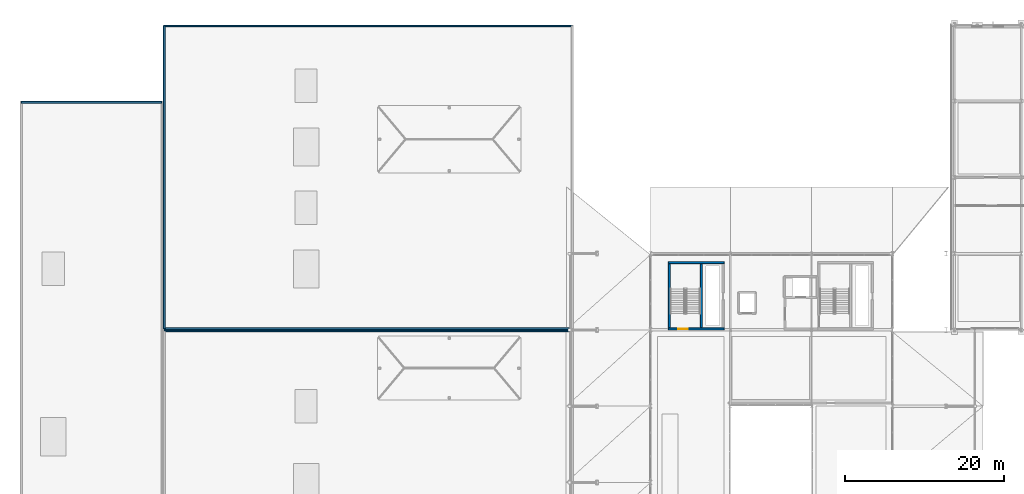
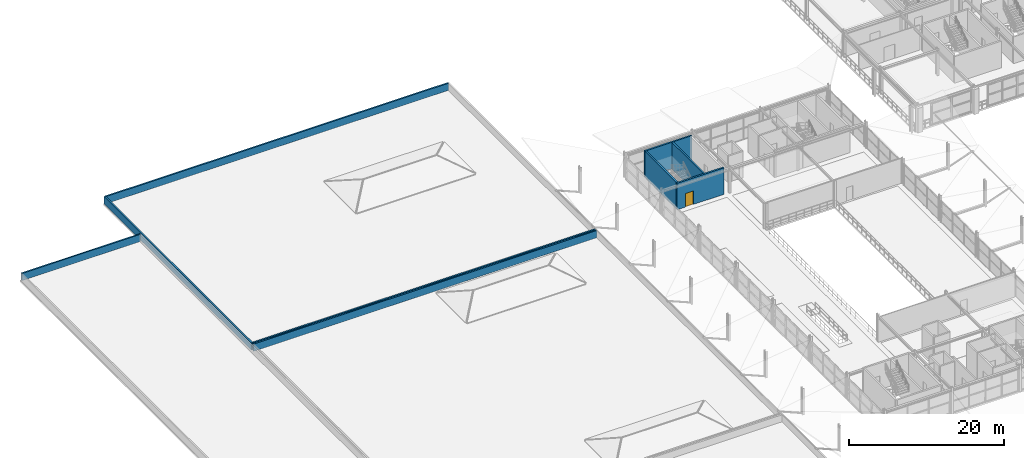
# One storey, part 47 of 81: 9 walls, 1 door, 1 opening.
"""IFC4 building model written with IfcOpenShell, lengths in metres."""

from ifc_helpers import new_model, si_unit, direction, frame, frame_2d, origin, place, context, subcontext, project, spatial, rectangle, extrude, material, layer, layer_set, type_object, element, fill, save


model = new_model("IFC4")

# Units and contexts
model_context = context("Model", 3, precision=1e-05, world=origin(), true_north=direction((0.0, 1.0)))
body_context = subcontext(model_context, "Body", "Model", "MODEL_VIEW")
ifc_project = project(units=[si_unit("LENGTHUNIT", "METRE"), si_unit("AREAUNIT", "SQUARE_METRE"), si_unit("VOLUMEUNIT", "CUBIC_METRE"), si_unit("PLANEANGLEUNIT", "RADIAN"), si_unit("MASSUNIT", "GRAM", prefix="KILO")], contexts=[model_context])

# Site, building, storey
site_placement = place(None, origin())
site = spatial("IfcSite", under=ifc_project, at=site_placement, CompositionType="ELEMENT")
building_placement = place(site_placement, origin())
building = spatial("IfcBuilding", under=site, at=building_placement, Name="Myrtia Square Station", CompositionType="ELEMENT")
storey_placement = place(building_placement, frame((0.0, 0.0, 10.800048828125)))
storey = spatial("IfcBuildingStorey", under=building, at=storey_placement, Name="L02", CompositionType="ELEMENT", Elevation=10.800048828125)

# Wall, opening, door
ifc_material_1 = material(Name="Concrete C35/45", Category="concrete")
ifc_layer_1 = layer(ifc_material_1, 0.25, Name="Concrete C35/45")
ifc_layer_set_1 = layer_set([ifc_layer_1], Name="Concrete C35/45")
wall_type_1 = type_object("IfcWallType", Name="WL-CORE-250", PredefinedType="SHEAR", material=ifc_layer_set_1)
wall_1_placement = place(storey_placement, frame((81.60009765625, 86.52490234375, 0.0), z_axis=(0.0, 0.0, 1.0), x_axis=(1.0, 0.0, 0.0)))
wall_1 = element("IfcWall", 1, at=wall_1_placement, inside=storey, type_object=wall_type_1, Name="Core K2 shear wall L02 S", PredefinedType="SHEAR", context=body_context, shape_type="SweptSolid", body=[
    extrude(rectangle(XDim=7.0, YDim=0.25, at=frame_2d((3.5, 0.0))), origin(), (0.0, 0.0, 1.0), 4.199951171875),
])
opening_placement = place(wall_1_placement, frame((1.25, 0.0, 0.0)))
opening = element("IfcOpeningElement", 2, at=opening_placement, cuts=wall_1, Name="Opening SD-017", PredefinedType="OPENING", context=body_context, shape_type="SweptSolid", body=[
    extrude(rectangle(XDim=1.199951171875, YDim=2.14990234375, at=frame_2d((0.60009765625, 1.074951171875))), frame((0.0, 0.139892578125, 0.0), z_axis=(0.0, -1.0, 0.0), x_axis=(1.0, 0.0, 0.0)), (0.0, 0.0, 1.0), 0.280029296875),
])
ifc_material_2 = material(Name="Dark bronze anodised aluminium", Category="aluminium")
door_type = type_object("IfcDoorType", Name="DR-STAIR-1200x2150", OperationType="NOTDEFINED", PredefinedType="DOOR", material=ifc_material_2)
door_placement = place(opening_placement, origin())
door = element("IfcDoor", 3, at=door_placement, inside=storey, type_object=door_type, Name="Protected stair fire door K2 L02", OperationType="SINGLE_SWING_LEFT", OverallHeight=2.14990234375, OverallWidth=1.199951171875, PredefinedType="DOOR", context=body_context, shape_type="SweptSolid", body=[
    extrude(rectangle(XDim=1.199951171875, YDim=2.14990234375, at=frame_2d((0.60009765625, 1.074951171875))), frame((0.0, 0.02490234375, 0.0), z_axis=(0.0, -1.0, 0.0), x_axis=(1.0, 0.0, 0.0)), (0.0, 0.0, 1.0), 0.050048828125),
])
fill(opening, door)

# Walls
wall_2_placement = place(storey_placement, frame((81.60009765625, 94.875, 0.0), z_axis=(0.0, 0.0, 1.0), x_axis=(1.0, 0.0, 0.0)))
element("IfcWall", 4, at=wall_2_placement, inside=storey, type_object=wall_type_1, Name="Core K2 shear wall L02 N", PredefinedType="SHEAR", context=body_context, shape_type="SweptSolid", body=[
    extrude(rectangle(XDim=7.0, YDim=0.25, at=frame_2d((3.5, 0.0))), origin(), (0.0, 0.0, 1.0), 4.199951171875),
])
wall_3_placement = place(storey_placement, frame((81.72509765625, 86.39990234375, 0.0), z_axis=(0.0, 0.0, 1.0), x_axis=(0.0, 1.0, 0.0)))
element("IfcWall", 5, at=wall_3_placement, inside=storey, type_object=wall_type_1, Name="Core K2 shear wall L02 W", PredefinedType="SHEAR", context=body_context, shape_type="SweptSolid", body=[
    extrude(rectangle(XDim=8.60009765625, YDim=0.25, at=frame_2d((4.300048828125, 0.0))), origin(), (0.0, 0.0, 1.0), 4.199951171875),
])
wall_4_placement = place(storey_placement, frame((85.739990234375, 86.60009765625, 0.0), z_axis=(0.0, 0.0, 1.0), x_axis=(0.0, 1.0, 0.0)))
element("IfcWall", 6, at=wall_4_placement, inside=storey, type_object=wall_type_1, Name="Core K2 shear wall L02 D", PredefinedType="SHEAR", context=body_context, shape_type="SweptSolid", body=[
    extrude(rectangle(XDim=8.199951171875, YDim=0.25, at=frame_2d((4.10009765625, 0.0))), origin(), (0.0, 0.0, 1.0), 4.199951171875),
])
ifc_material_3 = material(Name="Cream lime stucco on clay brick masonry", Category="masonry")
ifc_layer_2 = layer(ifc_material_3, 0.2099609375, Name="Cream lime stucco on clay brick masonry")
ifc_layer_set_2 = layer_set([ifc_layer_2], Name="Cream lime stucco on clay brick masonry")
wall_type_2 = type_object("IfcWallType", Name="WL-PAR-STUCCO-210", PredefinedType="PARAPET", material=ifc_layer_set_2)
wall_5_placement = place(storey_placement, frame((17.85009765625, 115.050048828125, 0.0), z_axis=(0.0, 0.0, 1.0), x_axis=(-1.0, 0.0, 0.0)))
element("IfcWall", 7, at=wall_5_placement, inside=storey, type_object=wall_type_2, Name="Spanish Mission roof parapet 011", PredefinedType="PARAPET", context=body_context, shape_type="SweptSolid", body=[
    extrude(rectangle(XDim=17.7001953125, YDim=0.2099609375, at=frame_2d((8.85009765625, 0.0))), origin(), (0.0, 0.0, 1.0), 1.14990234375),
])
wall_6_placement = place(storey_placement, frame((69.5, 86.25, 0.0), z_axis=(0.0, 0.0, 1.0), x_axis=(-1.0, 0.0, 0.0)))
element("IfcWall", 8, at=wall_6_placement, inside=storey, type_object=wall_type_2, Name="Spanish Mission roof parapet 023", PredefinedType="PARAPET", context=body_context, shape_type="SweptSolid", body=[
    extrude(rectangle(XDim=51.35009765625, YDim=0.2099609375, at=frame_2d((25.675048828125, 0.0))), origin(), (0.0, 0.0, 1.0), 1.14990234375),
])
ifc_layer_3 = layer(ifc_material_3, 0.22998046875, Name="Cream lime stucco on clay brick masonry")
ifc_layer_set_3 = layer_set([ifc_layer_3], Name="Cream lime stucco on clay brick masonry")
wall_type_3 = type_object("IfcWallType", Name="WL-PAR-STUCCO-230", PredefinedType="PARAPET", material=ifc_layer_set_3)
for number, where, z_axis, x_axis, name in (
    (9, (18.14990234375, 86.550048828125, 0.0), (0.0, 0.0, 1.0), (1.0, 0.0, 0.0), "Spanish Mission roof parapet 025"),
    (10, (69.5, 124.64990234375, 0.0), (0.0, 0.0, 1.0), (-1.0, 0.0, 0.0), "Spanish Mission roof parapet 027"),
):
    element("IfcWall", number, at=place(storey_placement, frame(where, z_axis=z_axis, x_axis=x_axis)), inside=storey, type_object=wall_type_3, Name=name, PredefinedType="PARAPET", context=body_context, shape_type="SweptSolid", body=[
        extrude(rectangle(XDim=51.35009765625, YDim=0.22998046875, at=frame_2d((25.675048828125, 0.0))), origin(), (0.0, 0.0, 1.0), 1.14990234375),
    ])
wall_7_placement = place(storey_placement, frame((18.14990234375, 124.64990234375, 0.0), z_axis=(0.0, 0.0, 1.0), x_axis=(0.0, -1.0, 0.0)))
element("IfcWall", 11, at=wall_7_placement, inside=storey, type_object=wall_type_3, Name="Spanish Mission roof parapet 028", PredefinedType="PARAPET", context=body_context, shape_type="SweptSolid", body=[
    extrude(rectangle(XDim=38.099853515625, YDim=0.22998046875, at=frame_2d((19.0498046875, 0.0))), origin(), (0.0, 0.0, 1.0), 1.14990234375),
])

save(model, "model.ifc")
